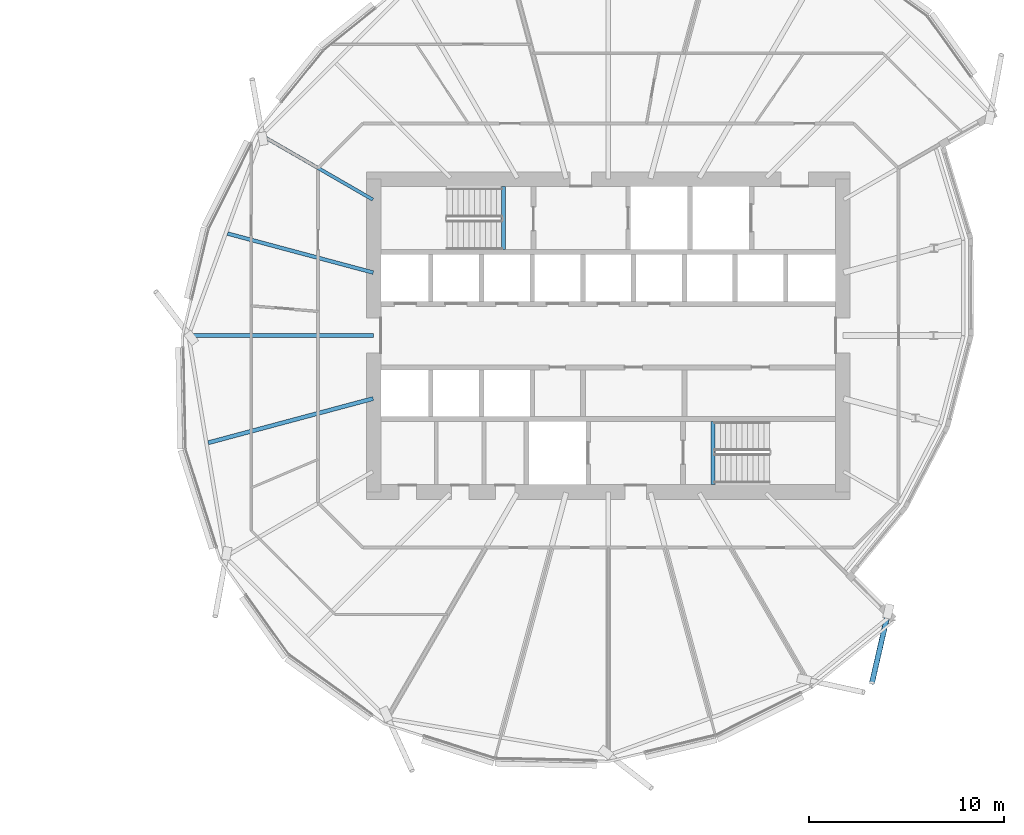
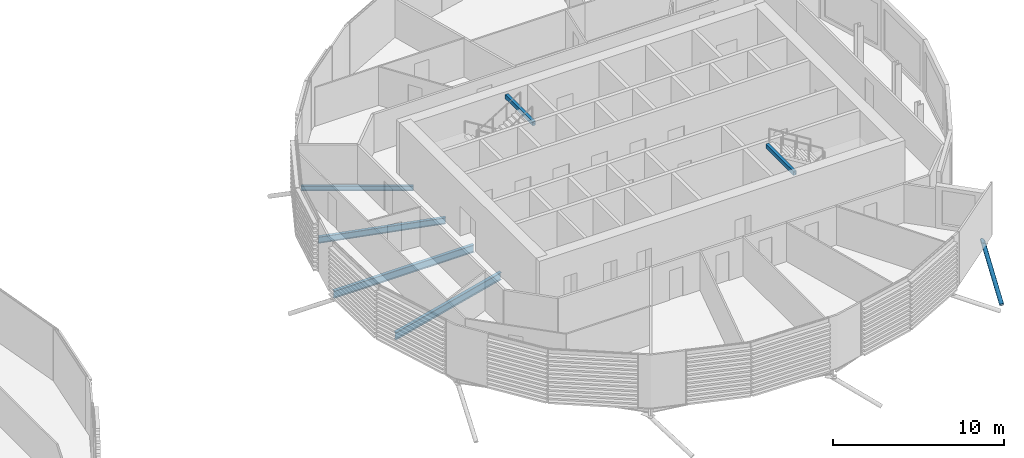
# One storey, part 15 of 38: 6 beams, 1 member.
"""IFC4 building model written with IfcOpenShell, lengths in metres."""

from ifc_helpers import new_model, si_unit, direction, frame, origin, origin_2d, place, context, subcontext, project, spatial, hollow_rectangle, hollow_circle, i_section, extrude, clip, halfspace, material, material_profile, profile_set, type_object, element, save


model = new_model("IFC4")

# Units and contexts
model_context = context("Model", 3, precision=1e-05, world=origin(), true_north=direction((0.0, 1.0)))
body_context = subcontext(model_context, "Body", "Model", "MODEL_VIEW")
ifc_project = project(units=[si_unit("LENGTHUNIT", "METRE"), si_unit("AREAUNIT", "SQUARE_METRE"), si_unit("VOLUMEUNIT", "CUBIC_METRE"), si_unit("PLANEANGLEUNIT", "RADIAN"), si_unit("MASSUNIT", "GRAM", prefix="KILO")], contexts=[model_context])

# Site, building, storey
site_placement = place(None, origin())
site = spatial("IfcSite", under=ifc_project, at=site_placement, CompositionType="ELEMENT")
building_placement = place(site_placement, origin())
building = spatial("IfcBuilding", under=site, at=building_placement, Name="Rimbun Link Towers", CompositionType="ELEMENT")
storey_placement = place(building_placement, frame((0.0, 0.0, 123.39990234375)))
storey = spatial("IfcBuildingStorey", under=building, at=storey_placement, Name="L30", CompositionType="ELEMENT", Elevation=123.39990234375)

# Member
ifc_material_1 = material(Name="Steel S355J2H", Category="steel")
ifc_material_profile_1 = material_profile(ifc_material_1, hollow_circle(Radius=0.136474609375, WallThickness=0.012451171875, at=origin_2d()), Name="CHS 273x12.5")
ifc_profile_set_1 = profile_set([ifc_material_profile_1], Name="Steel S355J2H")
member_type = type_object("IfcMemberType", Name="Floor edge link CHS 273x12.5", PredefinedType="BRACE", material=ifc_profile_set_1)
member_placement = place(storey_placement, frame((46.03857421875, -14.28857421875, -0.73388671875), z_axis=(-0.196652100953, -0.858112791589, -0.474310434317), x_axis=(0.974732008662, -0.223377508468, 0.0)))
element("IfcMember", 1, at=member_placement, inside=storey, type_object=member_type, Name="Floor edge link T2 L30 18", PredefinedType="BRACE", context=body_context, shape_type="Clipping", body=[
    clip(extrude(hollow_circle(Radius=0.136474609375, WallThickness=0.012451171875, at=origin_2d()), frame((0.0, 0.0, -0.52783203125)), (0.0, 0.0, 1.0), 4.58740234375), halfspace(frame((0.0, 0.0, -0.25), z_axis=(0.0, 0.88035766135, -0.474310434317)), False)),
])

# Beams
ifc_material_2 = material(Name="Steel S355J2", Category="steel")
ifc_material_profile_2 = material_profile(ifc_material_2, hollow_rectangle(XDim=0.199951171875, YDim=0.300048828125, WallThickness=0.011962890625, at=origin_2d()), Name="BOX 300x200x12")
ifc_profile_set_2 = profile_set([ifc_material_profile_2], Name="Steel S355J2")
beam_type_1 = type_object("IfcBeamType", Name="Stair trimmer beam BOX 300x200x12", PredefinedType="BEAM", material=ifc_profile_set_2)
for number, where, z_axis, x_axis, name in (
    (2, (26.39990234375, 7.625, 3.47021484375), (0.0, -1.0, 0.0), (1.0, 0.0, 0.0), "L30 ST3 stair beam 1"),
    (3, (37.10009765625, -7.625, 3.47021484375), (0.0, 1.0, 0.0), (-1.0, 0.0, 0.0), "L30 ST4 stair beam 1"),
):
    element("IfcBeam", number, at=place(storey_placement, frame(where, z_axis=z_axis, x_axis=x_axis)), inside=storey, type_object=beam_type_1, Name=name, PredefinedType="BEAM", context=body_context, shape_type="SweptSolid", body=[
        extrude(hollow_rectangle(XDim=0.199951171875, YDim=0.300048828125, WallThickness=0.011962890625, at=origin_2d()), origin(), (0.0, 0.0, 1.0), 3.22509765625),
    ])
ifc_material_3 = material(Name="Steel S355J2", Category="steel")
ifc_material_profile_3 = material_profile(ifc_material_3, i_section(OverallWidth=0.17138671875, OverallDepth=0.35498046875, WebThickness=0.00732421875, FlangeThickness=0.011474609375, at=origin_2d()), Name="UB 356x171x51")
ifc_profile_set_3 = profile_set([ifc_material_profile_3], Name="Steel S355J2")
beam_type_2 = type_object("IfcBeamType", Name="UB 356x171x51", PredefinedType="BEAM", material=ifc_profile_set_3)
beam_1_placement = place(storey_placement, frame((19.706298828125, 6.95361328125, -0.33740234375), z_axis=(-0.866033596865, 0.4999858089, 0.0), x_axis=(-0.4999858089, -0.866033596865, 0.0)))
element("IfcBeam", 4, at=beam_1_placement, inside=storey, type_object=beam_type_2, Name="Radial beam T2 L30 07", PredefinedType="BEAM", context=body_context, shape_type="SweptSolid", body=[
    extrude(i_section(OverallWidth=0.17138671875, OverallDepth=0.35498046875, WebThickness=0.00732421875, FlangeThickness=0.011474609375, at=origin_2d()), origin(), (0.0, 0.0, 1.0), 6.580322265625),
])
ifc_material_4 = material(Name="Steel S355J2", Category="steel")
ifc_material_profile_4 = material_profile(ifc_material_4, i_section(OverallWidth=0.18994140625, OverallDepth=0.453369140625, WebThickness=0.008544921875, FlangeThickness=0.0126953125, at=origin_2d()), Name="UB 457x191x67")
ifc_profile_set_4 = profile_set([ifc_material_profile_4], Name="Steel S355J2")
beam_type_3 = type_object("IfcBeamType", Name="UB 457x191x67", PredefinedType="BEAM", material=ifc_profile_set_4)
beam_2_placement = place(storey_placement, frame((19.724609375, 3.22216796875, -0.38671875), z_axis=(-0.9659264379, 0.258816762529, 0.0), x_axis=(-0.258816762529, -0.9659264379, 0.0)))
element("IfcBeam", 5, at=beam_2_placement, inside=storey, type_object=beam_type_3, Name="Radial beam T2 L30 08", PredefinedType="BEAM", context=body_context, shape_type="SweptSolid", body=[
    extrude(i_section(OverallWidth=0.18994140625, OverallDepth=0.453369140625, WebThickness=0.008544921875, FlangeThickness=0.0126953125, at=origin_2d()), origin(), (0.0, 0.0, 1.0), 7.71435546875),
])
ifc_material_5 = material(Name="Steel S355J2", Category="steel")
ifc_material_profile_5 = material_profile(ifc_material_5, i_section(OverallWidth=0.209228515625, OverallDepth=0.533203125, WebThickness=0.010009765625, FlangeThickness=0.015625, at=origin_2d()), Name="UB 533x210x92")
ifc_profile_set_5 = profile_set([ifc_material_profile_5], Name="Steel S355J2")
beam_type_4 = type_object("IfcBeamType", Name="UB 533x210x92", PredefinedType="BEAM", material=ifc_profile_set_5)
beam_3_placement = place(storey_placement, frame((19.7490234375, 0.0, -0.426513671875), z_axis=(-1.0, 0.0, 0.0), x_axis=(0.0, -1.0, 0.0)))
element("IfcBeam", 6, at=beam_3_placement, inside=storey, type_object=beam_type_4, Name="Radial beam T2 L30 09", PredefinedType="BEAM", context=body_context, shape_type="SweptSolid", body=[
    extrude(i_section(OverallWidth=0.209228515625, OverallDepth=0.533203125, WebThickness=0.010009765625, FlangeThickness=0.015625, at=origin_2d()), origin(), (0.0, 0.0, 1.0), 9.47216796875),
])
beam_4_placement = place(storey_placement, frame((19.721923828125, -3.222900390625, -0.426513671875), z_axis=(-0.965926352771, -0.258817080236, 0.0), x_axis=(0.258817080236, -0.965926352771, 0.0)))
element("IfcBeam", 7, at=beam_4_placement, inside=storey, type_object=beam_type_4, Name="Radial beam T2 L30 10", PredefinedType="BEAM", context=body_context, shape_type="SweptSolid", body=[
    extrude(i_section(OverallWidth=0.209228515625, OverallDepth=0.533203125, WebThickness=0.010009765625, FlangeThickness=0.015625, at=origin_2d()), origin(), (0.0, 0.0, 1.0), 8.73876953125),
])

save(model, "model.ifc")
